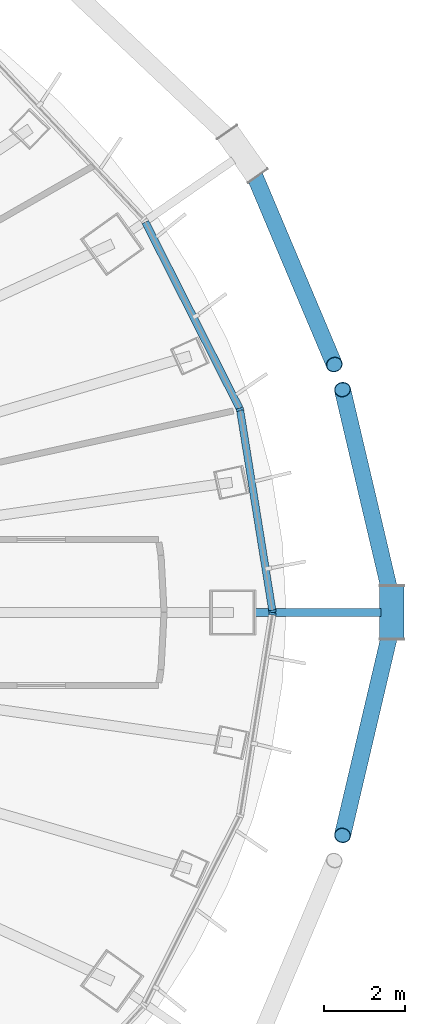
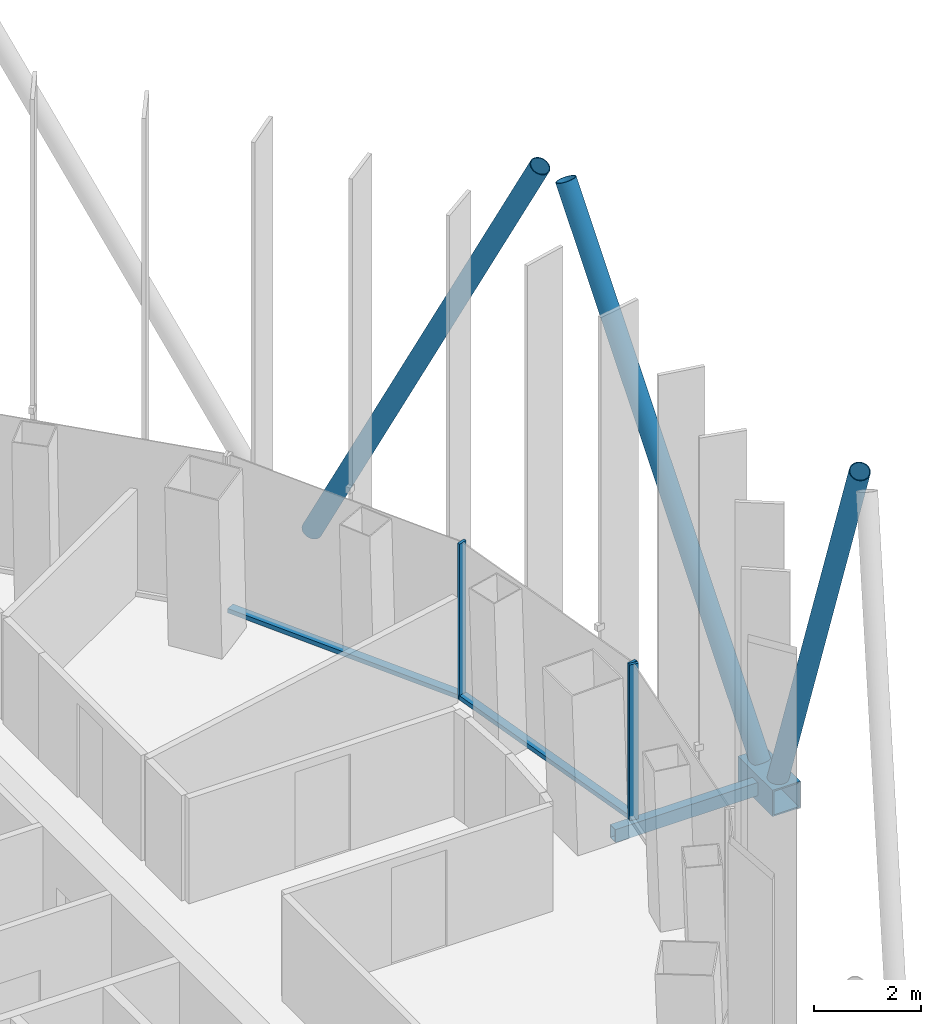
# One storey, part 5 of 19: 10 members, 2 elements without a shape of their own.
"""IFC4 building model written with IfcOpenShell, lengths in metres."""

from ifc_helpers import new_model, si_unit, direction, frame, origin, origin_2d, place, context, subcontext, project, spatial, rectangle, hollow_rectangle, hollow_circle, extrude, material, layer, layer_set, material_profile, profile_set, type_object, element, aggregate, save


model = new_model("IFC4")

# Units and contexts
model_context = context("Model", 3, precision=1e-05, world=origin(), true_north=direction((0.0, 1.0)))
body_context = subcontext(model_context, "Body", "Model", "MODEL_VIEW")
ifc_project = project(units=[si_unit("LENGTHUNIT", "METRE"), si_unit("AREAUNIT", "SQUARE_METRE"), si_unit("VOLUMEUNIT", "CUBIC_METRE"), si_unit("PLANEANGLEUNIT", "RADIAN"), si_unit("MASSUNIT", "GRAM", prefix="KILO")], contexts=[model_context])

# Site, building, storey
site_placement = place(None, origin())
site = spatial("IfcSite", under=ifc_project, at=site_placement, CompositionType="ELEMENT")
building_placement = place(site_placement, origin())
building = spatial("IfcBuilding", under=site, at=building_placement, Name="Siaravel Broadcast Tower", CompositionType="ELEMENT")
storey_placement = place(building_placement, frame((0.0, 0.0, 168.199951171875)))
storey = spatial("IfcBuildingStorey", under=building, at=storey_placement, Name="L40", CompositionType="ELEMENT", Elevation=168.199951171875)

# Curtain wall, members
ifc_material_1 = material(Name="Aluminium 6063-T6", Category="aluminium")
ifc_layer = layer(ifc_material_1, 0.179931640625)
ifc_layer_set = layer_set([ifc_layer], Name="Aluminium 6063-T6")
curtain_wall_type = type_object("IfcCurtainWallType", Name="Unitised curtain wall, zone 3", PredefinedType="NOTDEFINED", material=ifc_layer_set)
curtain_wall_1_placement = place(storey_placement, origin())
curtain_wall_1 = element("IfcCurtainWall", 1, at=curtain_wall_1_placement, inside=storey, type_object=curtain_wall_type, Name="L40 Unitised curtain wall, zone 3 01", PredefinedType="NOTDEFINED")
ifc_material_profile_1 = material_profile(ifc_material_1, rectangle(XDim=0.179931640625, YDim=0.06005859375, at=origin_2d()))
ifc_profile_set_1 = profile_set([ifc_material_profile_1], Name="Aluminium 6063-T6")
member_type_1 = type_object("IfcMemberType", Name="CW-Z3 mullion", PredefinedType="MULLION", material=ifc_profile_set_1)
member_1_placement = place(storey_placement, frame((23.573974609375, 0.029541015625, 0.0), z_axis=(0.0, 0.0, 1.0), x_axis=(-0.98732916, -0.15868563, 0.0)))
member_1 = element("IfcMember", 2, at=member_1_placement, type_object=member_type_1, Name="CW-Z3 mullion 1", PredefinedType="MULLION", context=body_context, shape_type="SweptSolid", body=[
    extrude(rectangle(XDim=0.179931640625, YDim=0.06005859375, at=origin_2d()), origin(), (0.0, 0.0, 1.0), 3.550048828125),
])
member_2_placement = place(storey_placement, frame((22.7744140625, 5.003662109375, 0.0), z_axis=(0.0, 0.0, 1.0), x_axis=(-0.951177137, -0.308645515, 0.0)))
member_2 = element("IfcMember", 3, at=member_2_placement, type_object=member_type_1, Name="CW-Z3 mullion 2", PredefinedType="MULLION", context=body_context, shape_type="SweptSolid", body=[
    extrude(rectangle(XDim=0.179931640625, YDim=0.06005859375, at=origin_2d()), origin(), (0.0, 0.0, 1.0), 3.550048828125),
])

# Curtain wall, member
curtain_wall_2_placement = place(storey_placement, origin())
curtain_wall_2 = element("IfcCurtainWall", 4, at=curtain_wall_2_placement, inside=storey, type_object=curtain_wall_type, Name="L40 Unitised curtain wall, zone 3 12", PredefinedType="NOTDEFINED")
member_3_placement = place(storey_placement, frame((23.573974609375, -0.029541015625, 0.0), z_axis=(0.0, 0.0, 1.0), x_axis=(-0.98732916, 0.15868563, 0.0)))
member_3 = element("IfcMember", 5, at=member_3_placement, type_object=member_type_1, Name="CW-Z3 mullion 3", PredefinedType="MULLION", context=body_context, shape_type="SweptSolid", body=[
    extrude(rectangle(XDim=0.179931640625, YDim=0.06005859375, at=origin_2d()), origin(), (0.0, 0.0, 1.0), 3.550048828125),
])
aggregate(curtain_wall_2, [member_3])

# Member
ifc_material_profile_2 = material_profile(ifc_material_1, rectangle(XDim=0.179931640625, YDim=0.10009765625, at=origin_2d()))
ifc_profile_set_2 = profile_set([ifc_material_profile_2], Name="Aluminium 6063-T6")
member_type_2 = type_object("IfcMemberType", Name="CW-Z3 transom", PredefinedType="USERDEFINED", material=ifc_profile_set_2)
member_4_placement = place(storey_placement, frame((23.569091796875, 0.05908203125, 0.050048828125), z_axis=(-0.158654191, 0.987334213, 0.0), x_axis=(-0.987334213, -0.158654191, 0.0)))
member_4 = element("IfcMember", 6, at=member_4_placement, type_object=member_type_2, Name="CW-Z3 transom 1", ObjectType="TRANSOM", PredefinedType="USERDEFINED", context=body_context, shape_type="SweptSolid", body=[
    extrude(rectangle(XDim=0.179931640625, YDim=0.10009765625, at=origin_2d()), origin(), (0.0, 0.0, 1.0), 4.97802734375),
])

member_5_placement = place(storey_placement, frame((22.760986328125, 5.030517578125, 0.050048828125), z_axis=(-0.451279947, 0.892382435, 0.0), x_axis=(-0.892382435, -0.451279947, 0.0)))
member_5 = element("IfcMember", 7, at=member_5_placement, type_object=member_type_2, Name="CW-Z3 transom 2", ObjectType="TRANSOM", PredefinedType="USERDEFINED", context=body_context, shape_type="SweptSolid", body=[
    extrude(rectangle(XDim=0.179931640625, YDim=0.10009765625, at=origin_2d()), origin(), (0.0, 0.0, 1.0), 5.133544921875),
])

aggregate(curtain_wall_1, [member_1, member_2, member_4, member_5])

# Members
ifc_material_2 = material(Name="Steel S460", Category="steel")
ifc_material_profile_3 = material_profile(ifc_material_2, hollow_circle(Radius=0.203125, WallThickness=0.01611328125, at=origin_2d()))
ifc_profile_set_3 = profile_set([ifc_material_profile_3], Name="Steel S460")
member_type_3 = type_object("IfcMemberType", Name="Diagrid diagonal CHS 406.4x16", PredefinedType="BRACE", material=ifc_profile_set_3)
for number, where, z_axis, x_axis, name in (
    (8, (26.5126953125, -0.323486328125, 0.070068359375), (-0.102731704, -0.437079711, 0.893536526), (0.97347205, -0.22880596, 0.0), "Diagrid diagonal R17 station 00C"),
    (9, (26.5126953125, 0.323486328125, 0.070068359375), (-0.102731704, 0.437079711, 0.893536526), (-0.97347205, -0.22880596, 0.0), "Diagrid diagonal R17 station 00A"),
):
    element("IfcMember", number, at=place(storey_placement, frame(where, z_axis=z_axis, x_axis=x_axis)), inside=storey, type_object=member_type_3, Name=name, PredefinedType="BRACE", context=body_context, shape_type="SweptSolid", body=[
        extrude(hollow_circle(Radius=0.203125, WallThickness=0.01611328125, at=origin_2d()), origin(), (0.0, 0.0, 1.0), 11.818359375),
    ])
member_6_placement = place(storey_placement, frame((23.0205078125, 11.027099609375, 0.070068359375), z_axis=(0.175489566, -0.415980615, 0.892279967), x_axis=(0.921365951, 0.388696263, 0.0)))
element("IfcMember", 10, at=member_6_placement, inside=storey, type_object=member_type_3, Name="Diagrid diagonal R17 station 06C", PredefinedType="BRACE", context=body_context, shape_type="SweptSolid", body=[
    extrude(hollow_circle(Radius=0.203125, WallThickness=0.01611328125, at=origin_2d()), origin(), (0.0, 0.0, 1.0), 11.8349609375),
])
ifc_material_profile_4 = material_profile(ifc_material_2, hollow_rectangle(XDim=0.60009765625, YDim=0.60009765625, WallThickness=0.031982421875, at=origin_2d()))
ifc_profile_set_4 = profile_set([ifc_material_profile_4], Name="Steel S460")
member_type_4 = type_object("IfcMemberType", Name="Diagrid node BOX 600x600x32", PredefinedType="USERDEFINED", material=ifc_profile_set_4)
member_7_placement = place(storey_placement, frame((26.5126953125, -0.646728515625, -0.199951171875), z_axis=(0.0, 1.0, 0.0), x_axis=(-1.0, 0.0, 0.0)))
element("IfcMember", 11, at=member_7_placement, inside=storey, type_object=member_type_4, Name="Diagrid node R17 station 00", ObjectType="DIAGRID NODE", PredefinedType="USERDEFINED", context=body_context, shape_type="SweptSolid", body=[
    extrude(hollow_rectangle(XDim=0.60009765625, YDim=0.60009765625, WallThickness=0.031982421875, at=origin_2d()), origin(), (0.0, 0.0, 1.0), 1.29345703125),
])
ifc_material_profile_5 = material_profile(ifc_material_2, hollow_rectangle(XDim=0.199951171875, YDim=0.300048828125, WallThickness=0.012451171875, at=origin_2d()))
ifc_profile_set_5 = profile_set([ifc_material_profile_5], Name="Steel S460")
member_type_5 = type_object("IfcMemberType", Name="Diagrid node arm RHS 300x200x12.5", PredefinedType="STRUT", material=ifc_profile_set_5)
member_8_placement = place(storey_placement, frame((23.140625, 0.0, -0.199951171875), z_axis=(1.0, 0.0, 0.0), x_axis=(0.0, 1.0, 0.0)))
element("IfcMember", 12, at=member_8_placement, inside=storey, type_object=member_type_5, Name="Node arm R17 station 00", PredefinedType="STRUT", context=body_context, shape_type="SweptSolid", body=[
    extrude(hollow_rectangle(XDim=0.199951171875, YDim=0.300048828125, WallThickness=0.012451171875, at=origin_2d()), origin(), (0.0, 0.0, 1.0), 3.102294921875),
])

save(model, "model.ifc")
